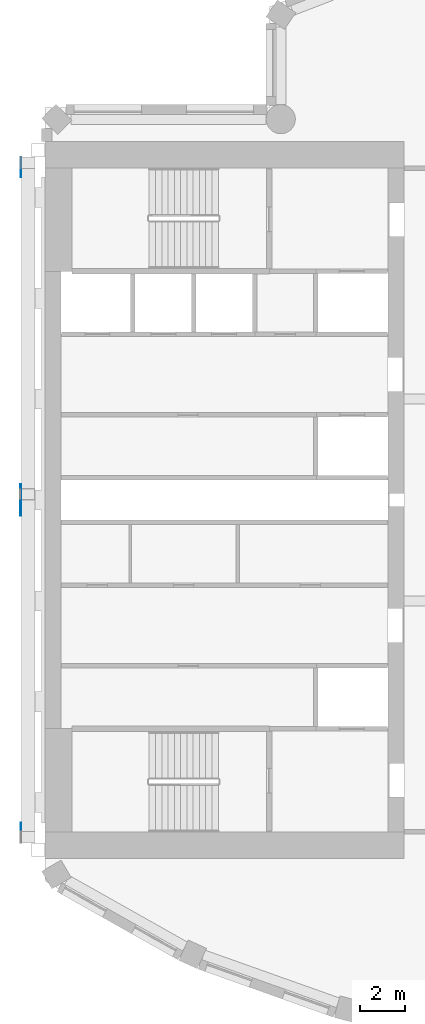
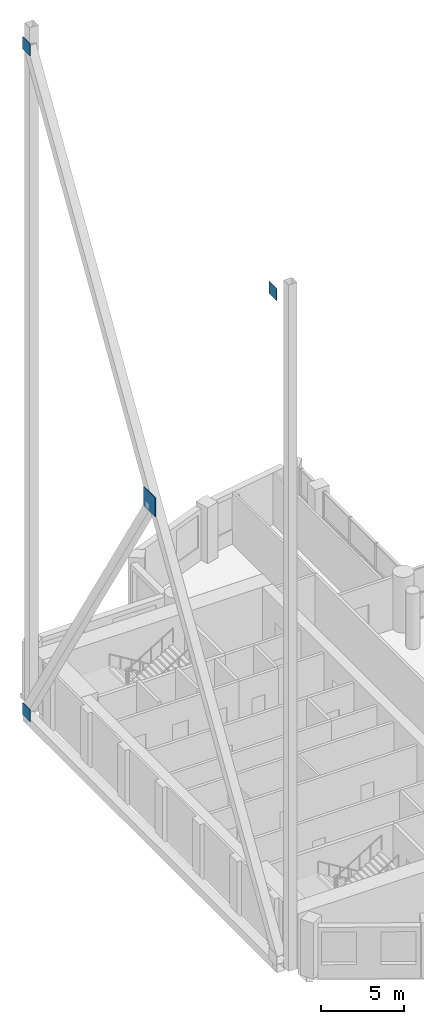
# One storey, part 9 of 18: 4 discrete accessories.
"""IFC4 building model written with IfcOpenShell, lengths in metres."""

from ifc_helpers import new_model, si_unit, direction, frame, origin, origin_2d, place, context, subcontext, project, spatial, rectangle, extrude, material, material_profile, profile_set, type_object, element, save


model = new_model("IFC4")

# Units and contexts
model_context = context("Model", 3, precision=1e-05, world=origin(), true_north=direction((0.0, 1.0)))
body_context = subcontext(model_context, "Body", "Model", "MODEL_VIEW")
ifc_project = project(units=[si_unit("LENGTHUNIT", "METRE"), si_unit("AREAUNIT", "SQUARE_METRE"), si_unit("VOLUMEUNIT", "CUBIC_METRE"), si_unit("PLANEANGLEUNIT", "RADIAN"), si_unit("MASSUNIT", "GRAM", prefix="KILO")], contexts=[model_context])

# Site, building, storey
site_placement = place(None, origin())
site = spatial("IfcSite", under=ifc_project, at=site_placement, CompositionType="ELEMENT")
building_placement = place(site_placement, origin())
building = spatial("IfcBuilding", under=site, at=building_placement, Name="Cypress Arch Tower", CompositionType="ELEMENT")
storey_placement = place(building_placement, frame((0.0, 0.0, 288.5)))
storey = spatial("IfcBuildingStorey", under=building, at=storey_placement, Name="L65", CompositionType="ELEMENT", Elevation=288.5)

# Discrete accessories
ifc_material_1 = material(Name="Steel ASTM A992", Category="steel")
ifc_material_profile_1 = material_profile(ifc_material_1, rectangle(XDim=0.89990234375, YDim=0.89990234375, at=origin_2d()), Name="PL 30 900x900")
ifc_profile_set_1 = profile_set([ifc_material_profile_1], Name="Steel ASTM A992")
discrete_accessory_type_1 = type_object("IfcDiscreteAccessoryType", Name="Gusset plate 900x900x30 Steel ASTM A992", PredefinedType="ANCHORPLATE", material=ifc_profile_set_1)
for number, where, z_axis, x_axis, name in (
    (1, (-31.0595703125, -14.84326171875, 49.59033203125), (-1.0, 0.0, 0.0), (0.0, -1.0, 0.0), "Gusset plate west bracing 6ST"),
    (2, (-31.0595703125, 14.84326171875, 0.604736328125), (-1.0, 0.0, 0.0), (0.0, -1.0, 0.0), "Gusset plate west bracing 6NB"),
    (3, (-31.0595703125, 14.84326171875, 49.59033203125), (-1.0, 0.0, 0.0), (0.0, -1.0, 0.0), "Gusset plate west bracing 6NT"),
):
    element("IfcDiscreteAccessory", number, at=place(storey_placement, frame(where, z_axis=z_axis, x_axis=x_axis)), inside=storey, type_object=discrete_accessory_type_1, Name=name, PredefinedType="ANCHORPLATE", context=body_context, shape_type="SweptSolid", body=[
        extrude(rectangle(XDim=0.89990234375, YDim=0.89990234375, at=origin_2d()), origin(), (0.0, 0.0, 1.0), 0.030029296875),
    ])
ifc_material_2 = material(Name="Steel ASTM A992", Category="steel")
ifc_material_profile_2 = material_profile(ifc_material_2, rectangle(XDim=1.39990234375, YDim=1.39990234375, at=origin_2d()), Name="PL 40 1400x1400")
ifc_profile_set_2 = profile_set([ifc_material_profile_2], Name="Steel ASTM A992")
discrete_accessory_type_2 = type_object("IfcDiscreteAccessoryType", Name="Node plate 1400x1400x40 Steel ASTM A992", PredefinedType="ANCHORPLATE", material=ifc_profile_set_2)
discrete_accessory_placement = place(storey_placement, frame((-31.0595703125, 0.0, 25.09765625), z_axis=(-1.0, 0.0, 0.0), x_axis=(0.0, -1.0, 0.0)))
element("IfcDiscreteAccessory", 4, at=discrete_accessory_placement, inside=storey, type_object=discrete_accessory_type_2, Name="Node plate west bracing 6", PredefinedType="ANCHORPLATE", context=body_context, shape_type="SweptSolid", body=[
    extrude(rectangle(XDim=1.39990234375, YDim=1.39990234375, at=origin_2d()), origin(), (0.0, 0.0, 1.0), 0.0400390625),
])

save(model, "model.ifc")
